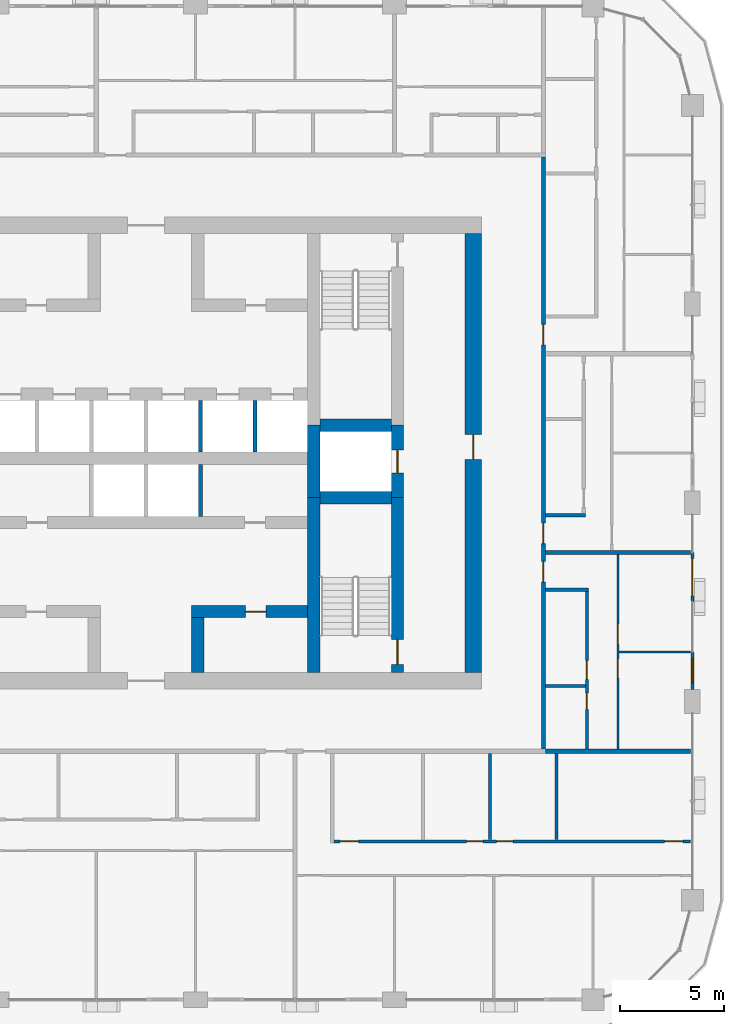
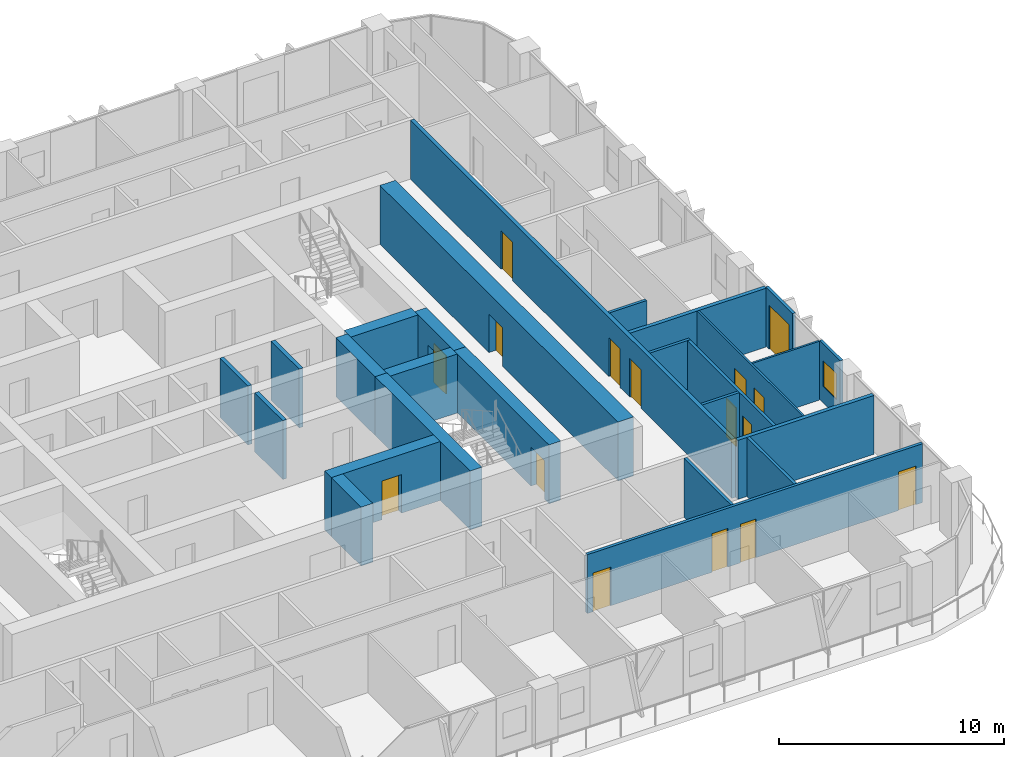
# One storey, part 12 of 22: 26 walls, 16 doors, 1 window, 17 openings.
"""IFC4 building model written with IfcOpenShell, lengths in metres."""

from ifc_helpers import new_model, si_unit, direction, frame, frame_2d, origin, place, context, subcontext, project, spatial, rectangle, extrude, material, layer, layer_set, type_object, element, fill, save


model = new_model("IFC4")

# Units and contexts
model_context = context("Model", 3, precision=1e-05, world=origin(), true_north=direction((0.0, 1.0)))
body_context = subcontext(model_context, "Body", "Model", "MODEL_VIEW")
ifc_project = project(units=[si_unit("LENGTHUNIT", "METRE"), si_unit("AREAUNIT", "SQUARE_METRE"), si_unit("VOLUMEUNIT", "CUBIC_METRE"), si_unit("PLANEANGLEUNIT", "RADIAN"), si_unit("MASSUNIT", "GRAM", prefix="KILO")], contexts=[model_context])

# Site, building, storey
site_placement = place(None, origin())
site = spatial("IfcSite", under=ifc_project, at=site_placement, CompositionType="ELEMENT")
building_placement = place(site_placement, origin())
building = spatial("IfcBuilding", under=site, at=building_placement, Name="Madar Terraces", CompositionType="ELEMENT")
storey_placement = place(building_placement, frame((0.0, 0.0, 163.0)))
storey = spatial("IfcBuildingStorey", under=building, at=storey_placement, Name="L42", CompositionType="ELEMENT", Elevation=163.0)

# Walls
ifc_material_1 = material(Name="Concrete C70/85", Category="concrete")
ifc_layer_1 = layer(ifc_material_1, 0.60009765625)
ifc_layer_set_1 = layer_set([ifc_layer_1], Name="Concrete C70/85 (CIW3 RC wall 600)")
wall_type_1 = type_object("IfcWallType", Name="CIW3 RC wall 600", PredefinedType="SHEAR", material=ifc_layer_set_1)
wall_1_placement = place(storey_placement, frame((39.300048828125, 15.800048828125, 0.0), z_axis=(0.0, 0.0, 1.0), x_axis=(0.0, 1.0, 0.0)))
element("IfcWall", 1, at=wall_1_placement, inside=storey, type_object=wall_type_1, Name="CORE SHAFT WALL", PredefinedType="SHEAR", context=body_context, shape_type="SweptSolid", body=[
    extrude(rectangle(XDim=8.449951171875, YDim=0.60009765625, at=frame_2d((4.22509765625, 0.0))), origin(), (0.0, 0.0, 1.0), 3.199951171875),
])
wall_2_placement = place(storey_placement, frame((39.300048828125, 24.25, 0.0), z_axis=(0.0, 0.0, 1.0), x_axis=(0.0, 1.0, 0.0)))
element("IfcWall", 2, at=wall_2_placement, inside=storey, type_object=wall_type_1, Name="CORE SHAFT WALL", PredefinedType="SHEAR", context=body_context, shape_type="SweptSolid", body=[
    extrude(rectangle(XDim=3.5, YDim=0.60009765625, at=frame_2d((1.75, 0.0))), origin(), (0.0, 0.0, 1.0), 3.199951171875),
])

# Wall, opening, door
wall_3_placement = place(storey_placement, frame((43.35009765625, 15.800048828125, 0.0), z_axis=(0.0, 0.0, 1.0), x_axis=(0.0, 1.0, 0.0)))
wall_3 = element("IfcWall", 3, at=wall_3_placement, inside=storey, type_object=wall_type_1, Name="CORE SHAFT WALL", PredefinedType="SHEAR", context=body_context, shape_type="SweptSolid", body=[
    extrude(rectangle(XDim=8.449951171875, YDim=0.60009765625, at=frame_2d((4.22509765625, 0.0))), origin(), (0.0, 0.0, 1.0), 3.199951171875),
])
opening_1_placement = place(wall_3_placement, frame((0.39990234375, 0.0, 0.0)))
opening_1 = element("IfcOpeningElement", 4, at=opening_1_placement, cuts=wall_3, Name="Opening SD1", PredefinedType="OPENING", context=body_context, shape_type="SweptSolid", body=[
    extrude(rectangle(XDim=1.199951171875, YDim=2.10009765625, at=frame_2d((0.60009765625, 1.050048828125))), frame((0.0, 0.31005859375, 0.0), z_axis=(0.0, -1.0, 0.0), x_axis=(1.0, 0.0, 0.0)), (0.0, 0.0, 1.0), 0.6201171875),
])
ifc_material_2 = material(Name="Steel door leaf", Category="steel")
door_type_1 = type_object("IfcDoorType", Name="Stair door 1200 x 2100", OperationType="NOTDEFINED", PredefinedType="DOOR", material=ifc_material_2)
door_1_placement = place(opening_1_placement, origin())
door_1 = element("IfcDoor", 5, at=door_1_placement, inside=storey, type_object=door_type_1, Name="STAIR DOOR", OperationType="SINGLE_SWING_LEFT", OverallHeight=2.10009765625, OverallWidth=1.199951171875, PredefinedType="DOOR", context=body_context, shape_type="SweptSolid", body=[
    extrude(rectangle(XDim=1.199951171875, YDim=2.10009765625, at=frame_2d((0.60009765625, 1.050048828125))), frame((0.0, 0.02490234375, 0.0), z_axis=(0.0, -1.0, 0.0), x_axis=(1.0, 0.0, 0.0)), (0.0, 0.0, 1.0), 0.050048828125),
])
fill(opening_1, door_1)

wall_4_placement = place(storey_placement, frame((43.35009765625, 24.25, 0.0), z_axis=(0.0, 0.0, 1.0), x_axis=(0.0, 1.0, 0.0)))
wall_4 = element("IfcWall", 6, at=wall_4_placement, inside=storey, type_object=wall_type_1, Name="CORE SHAFT WALL", PredefinedType="SHEAR", context=body_context, shape_type="SweptSolid", body=[
    extrude(rectangle(XDim=3.5, YDim=0.60009765625, at=frame_2d((1.75, 0.0))), origin(), (0.0, 0.0, 1.0), 3.199951171875),
])
opening_2_placement = place(wall_4_placement, frame((1.199951171875, 0.0, 0.0)))
opening_2 = element("IfcOpeningElement", 7, at=opening_2_placement, cuts=wall_4, Name="Opening LD", PredefinedType="OPENING", context=body_context, shape_type="SweptSolid", body=[
    extrude(rectangle(XDim=1.10009765625, YDim=2.10009765625, at=frame_2d((0.550048828125, 1.050048828125))), frame((0.0, 0.31005859375, 0.0), z_axis=(0.0, -1.0, 0.0), x_axis=(1.0, 0.0, 0.0)), (0.0, 0.0, 1.0), 0.6201171875),
])
ifc_material_3 = material(Name="Stainless steel panel", Category="steel")
door_type_2 = type_object("IfcDoorType", Name="Lift landing door 1100 x 2100", OperationType="DOUBLE_DOOR_SLIDING", PredefinedType="DOOR", material=ifc_material_3)
door_2_placement = place(opening_2_placement, origin())
door_2 = element("IfcDoor", 8, at=door_2_placement, inside=storey, type_object=door_type_2, Name="LIFT LANDING DOOR", OperationType="DOUBLE_DOOR_SLIDING", OverallHeight=2.10009765625, OverallWidth=1.10009765625, PredefinedType="DOOR", context=body_context, shape_type="SweptSolid", body=[
    extrude(rectangle(XDim=1.10009765625, YDim=2.10009765625, at=frame_2d((0.550048828125, 1.050048828125))), frame((0.0, 0.02490234375, 0.0), z_axis=(0.0, -1.0, 0.0), x_axis=(1.0, 0.0, 0.0)), (0.0, 0.0, 1.0), 0.050048828125),
])
fill(opening_2, door_2)

# Walls
for number, where, z_axis, x_axis, name in (
    (9, (39.60009765625, 24.25, 0.0), (0.0, 0.0, 1.0), (1.0, 0.0, 0.0), "CORE SHAFT WALL"),
    (10, (39.60009765625, 27.75, 0.0), (0.0, 0.0, 1.0), (1.0, 0.0, 0.0), "CORE SHAFT WALL"),
):
    element("IfcWall", number, at=place(storey_placement, frame(where, z_axis=z_axis, x_axis=x_axis)), inside=storey, type_object=wall_type_1, Name=name, PredefinedType="SHEAR", context=body_context, shape_type="SweptSolid", body=[
        extrude(rectangle(XDim=3.449951171875, YDim=0.60009765625, at=frame_2d((1.72509765625, 0.0))), origin(), (0.0, 0.0, 1.0), 3.199951171875),
    ])

# Wall, opening, door
wall_5_placement = place(storey_placement, frame((33.39990234375, 18.75, 0.0), z_axis=(0.0, 0.0, 1.0), x_axis=(1.0, 0.0, 0.0)))
wall_5 = element("IfcWall", 11, at=wall_5_placement, inside=storey, type_object=wall_type_1, Name="CORE SHAFT WALL", PredefinedType="SHEAR", context=body_context, shape_type="SweptSolid", body=[
    extrude(rectangle(XDim=5.60009765625, YDim=0.60009765625, at=frame_2d((2.800048828125, 0.0))), origin(), (0.0, 0.0, 1.0), 3.199951171875),
])
opening_3_placement = place(wall_5_placement, frame((2.60009765625, 0.0, 0.0)))
opening_3 = element("IfcOpeningElement", 12, at=opening_3_placement, cuts=wall_5, Name="Opening KD2", PredefinedType="OPENING", context=body_context, shape_type="SweptSolid", body=[
    extrude(rectangle(XDim=1.0, YDim=2.10009765625, at=frame_2d((0.5, 1.050048828125))), frame((0.0, 0.31005859375, 0.0), z_axis=(0.0, -1.0, 0.0), x_axis=(1.0, 0.0, 0.0)), (0.0, 0.0, 1.0), 0.6201171875),
])
ifc_material_4 = material(Name="Steel door leaf", Category="steel")
door_type_3 = type_object("IfcDoorType", Name="Service room door 1000 x 2100", OperationType="NOTDEFINED", PredefinedType="DOOR", material=ifc_material_4)
door_3_placement = place(opening_3_placement, origin())
door_3 = element("IfcDoor", 13, at=door_3_placement, inside=storey, type_object=door_type_3, Name="SERVICE ROOM DOOR", OperationType="SINGLE_SWING_RIGHT", OverallHeight=2.10009765625, OverallWidth=1.0, PredefinedType="DOOR", context=body_context, shape_type="SweptSolid", body=[
    extrude(rectangle(XDim=1.0, YDim=2.10009765625, at=frame_2d((0.5, 1.050048828125))), frame((0.0, 0.02490234375, 0.0), z_axis=(0.0, -1.0, 0.0), x_axis=(1.0, 0.0, 0.0)), (0.0, 0.0, 1.0), 0.050048828125),
])
fill(opening_3, door_3)

# Wall
wall_6_placement = place(storey_placement, frame((33.699951171875, 15.800048828125, 0.0), z_axis=(0.0, 0.0, 1.0), x_axis=(0.0, 1.0, 0.0)))
element("IfcWall", 14, at=wall_6_placement, inside=storey, type_object=wall_type_1, Name="CORE SHAFT WALL", PredefinedType="SHEAR", context=body_context, shape_type="SweptSolid", body=[
    extrude(rectangle(XDim=2.64990234375, YDim=0.60009765625, at=frame_2d((1.324951171875, 0.0))), origin(), (0.0, 0.0, 1.0), 3.199951171875),
])

# Wall, opening, door
ifc_material_5 = material(Name="Concrete C70/85", Category="concrete")
ifc_layer_2 = layer(ifc_material_5, 0.800048828125)
ifc_layer_set_2 = layer_set([ifc_layer_2], Name="Concrete C70/85 (CRW3 RC wall 800)")
wall_type_2 = type_object("IfcWallType", Name="CRW3 RC wall 800", PredefinedType="SHEAR", material=ifc_layer_set_2)
wall_7_placement = place(storey_placement, frame((47.0, 15.800048828125, 0.0), z_axis=(0.0, 0.0, 1.0), x_axis=(0.0, 1.0, 0.0)))
wall_7 = element("IfcWall", 15, at=wall_7_placement, inside=storey, type_object=wall_type_2, Name="CORE OUTER WALL", PredefinedType="SHEAR", context=body_context, shape_type="SweptSolid", body=[
    extrude(rectangle(XDim=21.199951171875, YDim=0.800048828125, at=frame_2d((10.60009765625, 0.0))), origin(), (0.0, 0.0, 1.0), 3.199951171875),
])
opening_4_placement = place(wall_7_placement, frame((10.300048828125, 0.0, 0.0)))
opening_4 = element("IfcOpeningElement", 16, at=opening_4_placement, cuts=wall_7, Name="Opening SD1", PredefinedType="OPENING", context=body_context, shape_type="SweptSolid", body=[
    extrude(rectangle(XDim=1.199951171875, YDim=2.10009765625, at=frame_2d((0.60009765625, 1.050048828125))), frame((0.0, 0.409912109375, 0.0), z_axis=(0.0, -1.0, 0.0), x_axis=(1.0, 0.0, 0.0)), (0.0, 0.0, 1.0), 0.820068359375),
])
door_4_placement = place(opening_4_placement, origin())
door_4 = element("IfcDoor", 17, at=door_4_placement, inside=storey, type_object=door_type_1, Name="STAIR DOOR", OperationType="SINGLE_SWING_RIGHT", OverallHeight=2.10009765625, OverallWidth=1.199951171875, PredefinedType="DOOR", context=body_context, shape_type="SweptSolid", body=[
    extrude(rectangle(XDim=1.199951171875, YDim=2.10009765625, at=frame_2d((0.60009765625, 1.050048828125))), frame((0.0, 0.02490234375, 0.0), z_axis=(0.0, -1.0, 0.0), x_axis=(1.0, 0.0, 0.0)), (0.0, 0.0, 1.0), 0.050048828125),
])
fill(opening_4, door_4)

# Walls
ifc_material_6 = material(Name="Concrete C40/50", Category="concrete")
ifc_layer_3 = layer(ifc_material_6, 0.199951171875)
ifc_layer_set_3 = layer_set([ifc_layer_3], Name="Core shaft dividing wall 200 C40/50")
wall_type_3 = type_object("IfcWallType", Name="Core shaft dividing wall 200 C40/50", PredefinedType="SOLIDWALL", material=ifc_layer_set_3)
for number, where, z_axis, x_axis, name in (
    (18, (33.833251953125, 23.35009765625, 0.0), (0.0, 0.0, 1.0), (0.0, 1.0, 0.0), "SHAFT DIVIDING WALL"),
    (19, (33.833251953125, 26.449951171875, 0.0), (0.0, 0.0, 1.0), (0.0, 1.0, 0.0), "SHAFT DIVIDING WALL"),
    (20, (36.466552734375, 26.449951171875, 0.0), (0.0, 0.0, 1.0), (0.0, 1.0, 0.0), "SHAFT DIVIDING WALL"),
):
    element("IfcWall", number, at=place(storey_placement, frame(where, z_axis=z_axis, x_axis=x_axis)), inside=storey, type_object=wall_type_3, Name=name, PredefinedType="SOLIDWALL", context=body_context, shape_type="SweptSolid", body=[
        extrude(rectangle(XDim=2.5, YDim=0.199951171875, at=frame_2d((1.25, 0.0))), origin(), (0.0, 0.0, 1.0), 3.199951171875),
    ])

# Wall, opening, window
ifc_material_7 = material(Name="Aluminium composite panel, black, over insulated backing", Category="aluminium")
ifc_layer_4 = layer(ifc_material_7, 0.14990234375)
ifc_layer_set_4 = layer_set([ifc_layer_4], Name="Facade bay panel 150")
wall_type_4 = type_object("IfcWallType", Name="Facade bay panel 150", PredefinedType="SOLIDWALL", material=ifc_layer_set_4)
wall_8_placement = place(storey_placement, frame((57.60009765625, 14.97509765625, 0.0), z_axis=(0.0, 0.0, 1.0), x_axis=(0.0, 1.0, 0.0)))
wall_8 = element("IfcWall", 21, at=wall_8_placement, inside=storey, type_object=wall_type_4, Name="Facade bay panel", PredefinedType="SOLIDWALL", context=body_context, shape_type="SweptSolid", body=[
    extrude(rectangle(XDim=1.824951171875, YDim=0.14990234375, at=frame_2d((0.91259765625, 0.0))), origin(), (0.0, 0.0, 1.0), 3.199951171875),
])
opening_5_placement = place(wall_8_placement, frame((0.3125, 0.0, 0.89990234375)))
opening_5 = element("IfcOpeningElement", 22, at=opening_5_placement, cuts=wall_8, Name="Opening W1", PredefinedType="OPENING", context=body_context, shape_type="SweptSolid", body=[
    extrude(rectangle(XDim=1.199951171875, YDim=1.39990234375, at=frame_2d((0.60009765625, 0.699951171875))), frame((0.0, 0.0849609375, 0.0), z_axis=(0.0, -1.0, 0.0), x_axis=(1.0, 0.0, 0.0)), (0.0, 0.0, 1.0), 0.169921875),
])
ifc_material_8 = material(Name="Glass, clear, with black aluminium frame", Category="aluminium")
window_type = type_object("IfcWindowType", Name="Vent window 1200 x 1400", PartitioningType="SINGLE_PANEL", PredefinedType="WINDOW", material=ifc_material_8)
window_placement = place(opening_5_placement, origin())
window = element("IfcWindow", 23, at=window_placement, inside=storey, type_object=window_type, Name="Operable vent window", OverallHeight=1.39990234375, OverallWidth=1.199951171875, PartitioningType="SINGLE_PANEL", PredefinedType="WINDOW", context=body_context, shape_type="SweptSolid", body=[
    extrude(rectangle(XDim=1.199951171875, YDim=1.39990234375, at=frame_2d((0.60009765625, 0.699951171875))), frame((0.0, 0.030029296875, 0.0), z_axis=(0.0, -1.0, 0.0), x_axis=(1.0, 0.0, 0.0)), (0.0, 0.0, 1.0), 0.06005859375),
])
fill(opening_5, window)

# Wall, opening, door
wall_9_placement = place(storey_placement, frame((57.60009765625, 19.199951171875, 0.0), z_axis=(0.0, 0.0, 1.0), x_axis=(0.0, 1.0, 0.0)))
wall_9 = element("IfcWall", 24, at=wall_9_placement, inside=storey, type_object=wall_type_4, Name="Facade bay panel", PredefinedType="SOLIDWALL", context=body_context, shape_type="SweptSolid", body=[
    extrude(rectangle(XDim=2.400146484375, YDim=0.14990234375, at=frame_2d((1.2001953125, 0.0))), origin(), (0.0, 0.0, 1.0), 3.199951171875),
])
opening_6_placement = place(wall_9_placement, frame((0.300048828125, 0.0, 0.0)))
opening_6 = element("IfcOpeningElement", 25, at=opening_6_placement, cuts=wall_9, Name="Opening ED1", PredefinedType="OPENING", context=body_context, shape_type="SweptSolid", body=[
    extrude(rectangle(XDim=1.800048828125, YDim=2.39990234375, at=frame_2d((0.89990234375, 1.199951171875))), frame((0.0, 0.0849609375, 0.0), z_axis=(0.0, -1.0, 0.0), x_axis=(1.0, 0.0, 0.0)), (0.0, 0.0, 1.0), 0.169921875),
])
ifc_material_9 = material(Name="Glass, clear, with black aluminium frame", Category="aluminium")
door_type_4 = type_object("IfcDoorType", Name="Balcony and terrace sliding door 1800 x 2400", OperationType="SLIDING_TO_LEFT", PredefinedType="DOOR", material=ifc_material_9)
door_5_placement = place(opening_6_placement, origin())
door_5 = element("IfcDoor", 26, at=door_5_placement, inside=storey, type_object=door_type_4, Name="Balcony door", OperationType="SLIDING_TO_LEFT", OverallHeight=2.39990234375, OverallWidth=1.800048828125, PredefinedType="DOOR", context=body_context, shape_type="SweptSolid", body=[
    extrude(rectangle(XDim=1.800048828125, YDim=2.39990234375, at=frame_2d((0.89990234375, 1.199951171875))), frame((0.0, 0.02490234375, 0.0), z_axis=(0.0, -1.0, 0.0), x_axis=(1.0, 0.0, 0.0)), (0.0, 0.0, 1.0), 0.050048828125),
])
fill(opening_6, door_5)

# Wall
ifc_material_10 = material(Name="Gypsum board on steel studs", Category="steel")
ifc_layer_5 = layer(ifc_material_10, 0.10009765625)
ifc_layer_set_5 = layer_set([ifc_layer_5], Name="Flat partition 100")
wall_type_5 = type_object("IfcWallType", Name="Flat partition 100", PredefinedType="PARTITIONING", material=ifc_layer_set_5)
wall_10_placement = place(storey_placement, frame((54.050048828125, 16.800048828125, 0.0), z_axis=(0.0, 0.0, 1.0), x_axis=(1.0, 0.0, 0.0)))
element("IfcWall", 27, at=wall_10_placement, inside=storey, type_object=wall_type_5, Name="Flat partition 100", PredefinedType="PARTITIONING", context=body_context, shape_type="SweptSolid", body=[
    extrude(rectangle(XDim=3.449951171875, YDim=0.10009765625, at=frame_2d((1.72509765625, 0.0))), origin(), (0.0, 0.0, 1.0), 3.199951171875),
])

# Wall, openings, doors
wall_11_placement = place(storey_placement, frame((54.0, 21.5, 0.0), z_axis=(0.0, 0.0, 1.0), x_axis=(0.0, -1.0, 0.0)))
wall_11 = element("IfcWall", 28, at=wall_11_placement, inside=storey, type_object=wall_type_5, Name="Flat partition 100", PredefinedType="PARTITIONING", context=body_context, shape_type="SweptSolid", body=[
    extrude(rectangle(XDim=9.39990234375, YDim=0.10009765625, at=frame_2d((4.699951171875, 0.0))), origin(), (0.0, 0.0, 1.0), 3.199951171875),
])
opening_7_placement = place(wall_11_placement, frame((3.35009765625, 0.0, 0.0)))
opening_7 = element("IfcOpeningElement", 29, at=opening_7_placement, cuts=wall_11, Name="Opening D3", PredefinedType="OPENING", context=body_context, shape_type="SweptSolid", body=[
    extrude(rectangle(XDim=1.0, YDim=2.10009765625, at=frame_2d((0.5, 1.050048828125))), frame((0.0, 0.06005859375, 0.0), z_axis=(0.0, -1.0, 0.0), x_axis=(1.0, 0.0, 0.0)), (0.0, 0.0, 1.0), 0.1201171875),
])
opening_8_placement = place(wall_11_placement, frame((5.050048828125, 0.0, 0.0)))
opening_8 = element("IfcOpeningElement", 30, at=opening_8_placement, cuts=wall_11, Name="Opening D2", PredefinedType="OPENING", context=body_context, shape_type="SweptSolid", body=[
    extrude(rectangle(XDim=0.89990234375, YDim=2.10009765625, at=frame_2d((0.449951171875, 1.050048828125))), frame((0.0, 0.06005859375, 0.0), z_axis=(0.0, -1.0, 0.0), x_axis=(1.0, 0.0, 0.0)), (0.0, 0.0, 1.0), 0.1201171875),
])
ifc_material_11 = material(Name="Timber door leaf", Category="wood")
door_type_5 = type_object("IfcDoorType", Name="Flat living room door 1000", OperationType="NOTDEFINED", PredefinedType="DOOR", material=ifc_material_11)
door_6_placement = place(opening_7_placement, origin())
door_6 = element("IfcDoor", 31, at=door_6_placement, inside=storey, type_object=door_type_5, Name="Flat living room door 1000", OperationType="SINGLE_SWING_RIGHT", OverallHeight=2.10009765625, OverallWidth=1.0, PredefinedType="DOOR", context=body_context, shape_type="SweptSolid", body=[
    extrude(rectangle(XDim=1.0, YDim=2.10009765625, at=frame_2d((0.5, 1.050048828125))), frame((0.0, 0.02490234375, 0.0), z_axis=(0.0, -1.0, 0.0), x_axis=(1.0, 0.0, 0.0)), (0.0, 0.0, 1.0), 0.050048828125),
])
fill(opening_7, door_6)
ifc_material_12 = material(Name="Timber door leaf", Category="wood")
door_type_6 = type_object("IfcDoorType", Name="Flat room door 900", OperationType="NOTDEFINED", PredefinedType="DOOR", material=ifc_material_12)
door_7_placement = place(opening_8_placement, origin())
door_7 = element("IfcDoor", 32, at=door_7_placement, inside=storey, type_object=door_type_6, Name="Flat room door 900", OperationType="SINGLE_SWING_LEFT", OverallHeight=2.10009765625, OverallWidth=0.89990234375, PredefinedType="DOOR", context=body_context, shape_type="SweptSolid", body=[
    extrude(rectangle(XDim=0.89990234375, YDim=2.10009765625, at=frame_2d((0.449951171875, 1.050048828125))), frame((0.0, 0.02490234375, 0.0), z_axis=(0.0, -1.0, 0.0), x_axis=(1.0, 0.0, 0.0)), (0.0, 0.0, 1.0), 0.050048828125),
])
fill(opening_8, door_7)

ifc_material_13 = material(Name="Lightweight blockwork", Category="masonry")
ifc_layer_6 = layer(ifc_material_13, 0.199951171875)
ifc_layer_set_6 = layer_set([ifc_layer_6], Name="Flat party and entrance wall 200")
wall_type_6 = type_object("IfcWallType", Name="Flat party and entrance wall 200", PredefinedType="PARTITIONING", material=ifc_layer_set_6)
wall_12_placement = place(storey_placement, frame((50.39990234375, 40.699951171875, 0.0), z_axis=(0.0, 0.0, 1.0), x_axis=(0.0, -1.0, 0.0)))
wall_12 = element("IfcWall", 33, at=wall_12_placement, inside=storey, type_object=wall_type_6, Name="Flat party and entrance wall 200", PredefinedType="PARTITIONING", context=body_context, shape_type="SweptSolid", body=[
    extrude(rectangle(XDim=28.599853515625, YDim=0.199951171875, at=frame_2d((14.2998046875, 0.0))), origin(), (0.0, 0.0, 1.0), 3.199951171875),
])
opening_9_placement = place(wall_12_placement, frame((19.52490234375, 0.0, 0.0)))
opening_9 = element("IfcOpeningElement", 34, at=opening_9_placement, cuts=wall_12, Name="Opening D1", PredefinedType="OPENING", context=body_context, shape_type="SweptSolid", body=[
    extrude(rectangle(XDim=1.0, YDim=2.10009765625, at=frame_2d((0.5, 1.050048828125))), frame((0.0, 0.10986328125, 0.0), z_axis=(0.0, -1.0, 0.0), x_axis=(1.0, 0.0, 0.0)), (0.0, 0.0, 1.0), 0.219970703125),
])
opening_10_placement = place(wall_12_placement, frame((17.675048828125, 0.0, 0.0)))
opening_10 = element("IfcOpeningElement", 35, at=opening_10_placement, cuts=wall_12, Name="Opening D1", PredefinedType="OPENING", context=body_context, shape_type="SweptSolid", body=[
    extrude(rectangle(XDim=1.0, YDim=2.10009765625, at=frame_2d((0.5, 1.050048828125))), frame((0.0, 0.10986328125, 0.0), z_axis=(0.0, -1.0, 0.0), x_axis=(1.0, 0.0, 0.0)), (0.0, 0.0, 1.0), 0.219970703125),
])
opening_11_placement = place(wall_12_placement, frame((8.074951171875, 0.0, 0.0)))
opening_11 = element("IfcOpeningElement", 36, at=opening_11_placement, cuts=wall_12, Name="Opening D1", PredefinedType="OPENING", context=body_context, shape_type="SweptSolid", body=[
    extrude(rectangle(XDim=1.0, YDim=2.10009765625, at=frame_2d((0.5, 1.050048828125))), frame((0.0, 0.10986328125, 0.0), z_axis=(0.0, -1.0, 0.0), x_axis=(1.0, 0.0, 0.0)), (0.0, 0.0, 1.0), 0.219970703125),
])
ifc_material_14 = material(Name="Timber fire door leaf", Category="wood")
door_type_7 = type_object("IfcDoorType", Name="Flat entrance door 1000 FD30S", OperationType="NOTDEFINED", PredefinedType="DOOR", material=ifc_material_14)
door_8_placement = place(opening_9_placement, origin())
door_8 = element("IfcDoor", 37, at=door_8_placement, inside=storey, type_object=door_type_7, Name="Flat entrance door 1000 FD30S", OperationType="SINGLE_SWING_LEFT", OverallHeight=2.10009765625, OverallWidth=1.0, PredefinedType="DOOR", context=body_context, shape_type="SweptSolid", body=[
    extrude(rectangle(XDim=1.0, YDim=2.10009765625, at=frame_2d((0.5, 1.050048828125))), frame((0.0, 0.02490234375, 0.0), z_axis=(0.0, -1.0, 0.0), x_axis=(1.0, 0.0, 0.0)), (0.0, 0.0, 1.0), 0.050048828125),
])
fill(opening_9, door_8)
door_9_placement = place(opening_10_placement, origin())
door_9 = element("IfcDoor", 38, at=door_9_placement, inside=storey, type_object=door_type_7, Name="Flat entrance door 1000 FD30S", OperationType="SINGLE_SWING_RIGHT", OverallHeight=2.10009765625, OverallWidth=1.0, PredefinedType="DOOR", context=body_context, shape_type="SweptSolid", body=[
    extrude(rectangle(XDim=1.0, YDim=2.10009765625, at=frame_2d((0.5, 1.050048828125))), frame((0.0, 0.02490234375, 0.0), z_axis=(0.0, -1.0, 0.0), x_axis=(1.0, 0.0, 0.0)), (0.0, 0.0, 1.0), 0.050048828125),
])
fill(opening_10, door_9)
door_10_placement = place(opening_11_placement, origin())
door_10 = element("IfcDoor", 39, at=door_10_placement, inside=storey, type_object=door_type_7, Name="Flat entrance door 1000 FD30S", OperationType="SINGLE_SWING_RIGHT", OverallHeight=2.10009765625, OverallWidth=1.0, PredefinedType="DOOR", context=body_context, shape_type="SweptSolid", body=[
    extrude(rectangle(XDim=1.0, YDim=2.10009765625, at=frame_2d((0.5, 1.050048828125))), frame((0.0, 0.02490234375, 0.0), z_axis=(0.0, -1.0, 0.0), x_axis=(1.0, 0.0, 0.0)), (0.0, 0.0, 1.0), 0.050048828125),
])
fill(opening_11, door_10)

# Walls
for number, where, z_axis, x_axis, name in (
    (40, (50.5, 12.0, 0.0), (0.0, 0.0, 1.0), (1.0, 0.0, 0.0), "Flat party and entrance wall 200"),
    (41, (50.5, 21.60009765625, 0.0), (0.0, 0.0, 1.0), (1.0, 0.0, 0.0), "Flat party and entrance wall 200"),
):
    element("IfcWall", number, at=place(storey_placement, frame(where, z_axis=z_axis, x_axis=x_axis)), inside=storey, type_object=wall_type_6, Name=name, PredefinedType="PARTITIONING", context=body_context, shape_type="SweptSolid", body=[
        extrude(rectangle(XDim=7.0, YDim=0.199951171875, at=frame_2d((3.5, 0.0))), origin(), (0.0, 0.0, 1.0), 3.199951171875),
    ])
ifc_material_15 = material(Name="Lightweight blockwork", Category="masonry")
ifc_layer_7 = layer(ifc_material_15, 0.14990234375)
ifc_layer_set_7 = layer_set([ifc_layer_7], Name="Flat wet-room partition 150")
wall_type_7 = type_object("IfcWallType", Name="Flat wet-room partition 150", PredefinedType="PARTITIONING", material=ifc_layer_set_7)
for number, where, z_axis, x_axis, name in (
    (42, (47.810791015625, 11.89990234375, 0.0), (0.0, 0.0, 1.0), (0.0, -1.0, 0.0), "Flat wet-room partition 150"),
    (43, (51.04052734375, 11.89990234375, 0.0), (0.0, 0.0, 1.0), (0.0, -1.0, 0.0), "Flat wet-room partition 150"),
):
    element("IfcWall", number, at=place(storey_placement, frame(where, z_axis=z_axis, x_axis=x_axis)), inside=storey, type_object=wall_type_7, Name=name, PredefinedType="PARTITIONING", context=body_context, shape_type="SweptSolid", body=[
        extrude(rectangle(XDim=4.1748046875, YDim=0.14990234375, at=frame_2d((2.08740234375, 0.0))), origin(), (0.0, 0.0, 1.0), 3.199951171875),
    ])

# Wall, openings, doors
wall_13_placement = place(storey_placement, frame((40.27490234375, 7.64990234375, 0.0), z_axis=(0.0, 0.0, 1.0), x_axis=(1.0, 0.0, 0.0)))
wall_13 = element("IfcWall", 44, at=wall_13_placement, inside=storey, type_object=wall_type_7, Name="Flat wet-room partition 150", PredefinedType="PARTITIONING", context=body_context, shape_type="SweptSolid", body=[
    extrude(rectangle(XDim=17.22509765625, YDim=0.14990234375, at=frame_2d((8.612548828125, 0.0))), origin(), (0.0, 0.0, 1.0), 3.199951171875),
])
opening_12_placement = place(wall_13_placement, frame((0.300048828125, 0.0, 0.0)))
opening_12 = element("IfcOpeningElement", 45, at=opening_12_placement, cuts=wall_13, Name="Opening D5", PredefinedType="OPENING", context=body_context, shape_type="SweptSolid", body=[
    extrude(rectangle(XDim=0.89990234375, YDim=2.10009765625, at=frame_2d((0.449951171875, 1.050048828125))), frame((0.0, 0.0849609375, 0.0), z_axis=(0.0, -1.0, 0.0), x_axis=(1.0, 0.0, 0.0)), (0.0, 0.0, 1.0), 0.169921875),
])
opening_13_placement = place(wall_13_placement, frame((6.410888671875, 0.0, 0.0)))
opening_13 = element("IfcOpeningElement", 46, at=opening_13_placement, cuts=wall_13, Name="Opening D7", PredefinedType="OPENING", context=body_context, shape_type="SweptSolid", body=[
    extrude(rectangle(XDim=0.800048828125, YDim=2.10009765625, at=frame_2d((0.39990234375, 1.050048828125))), frame((0.0, 0.0849609375, 0.0), z_axis=(0.0, -1.0, 0.0), x_axis=(1.0, 0.0, 0.0)), (0.0, 0.0, 1.0), 0.169921875),
])
opening_14_placement = place(wall_13_placement, frame((7.86083984375, 0.0, 0.0)))
opening_14 = element("IfcOpeningElement", 47, at=opening_14_placement, cuts=wall_13, Name="Opening D4", PredefinedType="OPENING", context=body_context, shape_type="SweptSolid", body=[
    extrude(rectangle(XDim=0.800048828125, YDim=2.10009765625, at=frame_2d((0.39990234375, 1.050048828125))), frame((0.0, 0.0849609375, 0.0), z_axis=(0.0, -1.0, 0.0), x_axis=(1.0, 0.0, 0.0)), (0.0, 0.0, 1.0), 0.169921875),
])
opening_15_placement = place(wall_13_placement, frame((15.97509765625, 0.0, 0.0)))
opening_15 = element("IfcOpeningElement", 48, at=opening_15_placement, cuts=wall_13, Name="Opening D2", PredefinedType="OPENING", context=body_context, shape_type="SweptSolid", body=[
    extrude(rectangle(XDim=0.89990234375, YDim=2.10009765625, at=frame_2d((0.449951171875, 1.050048828125))), frame((0.0, 0.0849609375, 0.0), z_axis=(0.0, -1.0, 0.0), x_axis=(1.0, 0.0, 0.0)), (0.0, 0.0, 1.0), 0.169921875),
])
ifc_material_16 = material(Name="Timber door leaf", Category="wood")
door_type_8 = type_object("IfcDoorType", Name="Flat accessible bathroom door 900", OperationType="NOTDEFINED", PredefinedType="DOOR", material=ifc_material_16)
door_11_placement = place(opening_12_placement, origin())
door_11 = element("IfcDoor", 49, at=door_11_placement, inside=storey, type_object=door_type_8, Name="Flat accessible bathroom door 900", OperationType="SINGLE_SWING_LEFT", OverallHeight=2.10009765625, OverallWidth=0.89990234375, PredefinedType="DOOR", context=body_context, shape_type="SweptSolid", body=[
    extrude(rectangle(XDim=0.89990234375, YDim=2.10009765625, at=frame_2d((0.449951171875, 1.050048828125))), frame((0.0, 0.02490234375, 0.0), z_axis=(0.0, -1.0, 0.0), x_axis=(1.0, 0.0, 0.0)), (0.0, 0.0, 1.0), 0.050048828125),
])
fill(opening_12, door_11)
ifc_material_17 = material(Name="Timber door leaf", Category="wood")
door_type_9 = type_object("IfcDoorType", Name="Flat bathroom door 800", OperationType="NOTDEFINED", PredefinedType="DOOR", material=ifc_material_17)
door_12_placement = place(opening_14_placement, origin())
door_12 = element("IfcDoor", 50, at=door_12_placement, inside=storey, type_object=door_type_9, Name="Flat bathroom door 800", OperationType="SINGLE_SWING_LEFT", OverallHeight=2.10009765625, OverallWidth=0.800048828125, PredefinedType="DOOR", context=body_context, shape_type="SweptSolid", body=[
    extrude(rectangle(XDim=0.800048828125, YDim=2.10009765625, at=frame_2d((0.39990234375, 1.050048828125))), frame((0.0, 0.02490234375, 0.0), z_axis=(0.0, -1.0, 0.0), x_axis=(1.0, 0.0, 0.0)), (0.0, 0.0, 1.0), 0.050048828125),
])
fill(opening_14, door_12)
door_13_placement = place(opening_15_placement, origin())
door_13 = element("IfcDoor", 51, at=door_13_placement, inside=storey, type_object=door_type_6, Name="Flat room door 900", OperationType="SINGLE_SWING_RIGHT", OverallHeight=2.10009765625, OverallWidth=0.89990234375, PredefinedType="DOOR", context=body_context, shape_type="SweptSolid", body=[
    extrude(rectangle(XDim=0.89990234375, YDim=2.10009765625, at=frame_2d((0.449951171875, 1.050048828125))), frame((0.0, 0.02490234375, 0.0), z_axis=(0.0, -1.0, 0.0), x_axis=(1.0, 0.0, 0.0)), (0.0, 0.0, 1.0), 0.050048828125),
])
fill(opening_15, door_13)
ifc_material_18 = material(Name="Timber door leaf", Category="wood")
door_type_10 = type_object("IfcDoorType", Name="Flat utility door 800", OperationType="NOTDEFINED", PredefinedType="DOOR", material=ifc_material_18)
door_14_placement = place(opening_13_placement, origin())
door_14 = element("IfcDoor", 52, at=door_14_placement, inside=storey, type_object=door_type_10, Name="Flat utility door 800", OperationType="SINGLE_SWING_RIGHT", OverallHeight=2.10009765625, OverallWidth=0.800048828125, PredefinedType="DOOR", context=body_context, shape_type="SweptSolid", body=[
    extrude(rectangle(XDim=0.800048828125, YDim=2.10009765625, at=frame_2d((0.39990234375, 1.050048828125))), frame((0.0, 0.02490234375, 0.0), z_axis=(0.0, -1.0, 0.0), x_axis=(1.0, 0.0, 0.0)), (0.0, 0.0, 1.0), 0.050048828125),
])
fill(opening_13, door_14)

# Walls
wall_14_placement = place(storey_placement, frame((50.5, 15.14990234375, 0.0), z_axis=(0.0, 0.0, 1.0), x_axis=(1.0, 0.0, 0.0)))
element("IfcWall", 53, at=wall_14_placement, inside=storey, type_object=wall_type_7, Name="Flat wet-room partition 150", PredefinedType="PARTITIONING", context=body_context, shape_type="SweptSolid", body=[
    extrude(rectangle(XDim=1.925048828125, YDim=0.14990234375, at=frame_2d((0.96240234375, 0.0))), origin(), (0.0, 0.0, 1.0), 3.199951171875),
])
wall_15_placement = place(storey_placement, frame((50.5, 19.800048828125, 0.0), z_axis=(0.0, 0.0, 1.0), x_axis=(1.0, 0.0, 0.0)))
element("IfcWall", 54, at=wall_15_placement, inside=storey, type_object=wall_type_7, Name="Flat wet-room partition 150", PredefinedType="PARTITIONING", context=body_context, shape_type="SweptSolid", body=[
    extrude(rectangle(XDim=2.074951171875, YDim=0.14990234375, at=frame_2d((1.03759765625, 0.0))), origin(), (0.0, 0.0, 1.0), 3.199951171875),
])

# Wall, openings, doors
wall_16_placement = place(storey_placement, frame((52.5, 12.10009765625, 0.0), z_axis=(0.0, 0.0, 1.0), x_axis=(0.0, 1.0, 0.0)))
wall_16 = element("IfcWall", 55, at=wall_16_placement, inside=storey, type_object=wall_type_7, Name="Flat wet-room partition 150", PredefinedType="PARTITIONING", context=body_context, shape_type="SweptSolid", body=[
    extrude(rectangle(XDim=7.625, YDim=0.14990234375, at=frame_2d((3.8125, 0.0))), origin(), (0.0, 0.0, 1.0), 3.199951171875),
])
opening_16_placement = place(wall_16_placement, frame((3.375, 0.0, 0.0)))
opening_16 = element("IfcOpeningElement", 56, at=opening_16_placement, cuts=wall_16, Name="Opening D2", PredefinedType="OPENING", context=body_context, shape_type="SweptSolid", body=[
    extrude(rectangle(XDim=0.89990234375, YDim=2.10009765625, at=frame_2d((0.449951171875, 1.050048828125))), frame((0.0, 0.0849609375, 0.0), z_axis=(0.0, -1.0, 0.0), x_axis=(1.0, 0.0, 0.0)), (0.0, 0.0, 1.0), 0.169921875),
])
opening_17_placement = place(wall_16_placement, frame((1.925048828125, 0.0, 0.0)))
opening_17 = element("IfcOpeningElement", 57, at=opening_17_placement, cuts=wall_16, Name="Opening D4", PredefinedType="OPENING", context=body_context, shape_type="SweptSolid", body=[
    extrude(rectangle(XDim=0.800048828125, YDim=2.10009765625, at=frame_2d((0.39990234375, 1.050048828125))), frame((0.0, 0.0849609375, 0.0), z_axis=(0.0, -1.0, 0.0), x_axis=(1.0, 0.0, 0.0)), (0.0, 0.0, 1.0), 0.169921875),
])
door_15_placement = place(opening_17_placement, origin())
door_15 = element("IfcDoor", 58, at=door_15_placement, inside=storey, type_object=door_type_9, Name="Flat bathroom door 800", OperationType="SINGLE_SWING_RIGHT", OverallHeight=2.10009765625, OverallWidth=0.800048828125, PredefinedType="DOOR", context=body_context, shape_type="SweptSolid", body=[
    extrude(rectangle(XDim=0.800048828125, YDim=2.10009765625, at=frame_2d((0.39990234375, 1.050048828125))), frame((0.0, 0.02490234375, 0.0), z_axis=(0.0, -1.0, 0.0), x_axis=(1.0, 0.0, 0.0)), (0.0, 0.0, 1.0), 0.050048828125),
])
fill(opening_17, door_15)
door_16_placement = place(opening_16_placement, origin())
door_16 = element("IfcDoor", 59, at=door_16_placement, inside=storey, type_object=door_type_6, Name="Flat room door 900", OperationType="SINGLE_SWING_LEFT", OverallHeight=2.10009765625, OverallWidth=0.89990234375, PredefinedType="DOOR", context=body_context, shape_type="SweptSolid", body=[
    extrude(rectangle(XDim=0.89990234375, YDim=2.10009765625, at=frame_2d((0.449951171875, 1.050048828125))), frame((0.0, 0.02490234375, 0.0), z_axis=(0.0, -1.0, 0.0), x_axis=(1.0, 0.0, 0.0)), (0.0, 0.0, 1.0), 0.050048828125),
])
fill(opening_16, door_16)

# Wall
wall_17_placement = place(storey_placement, frame((50.5, 23.39990234375, 0.0), z_axis=(0.0, 0.0, 1.0), x_axis=(1.0, 0.0, 0.0)))
element("IfcWall", 60, at=wall_17_placement, inside=storey, type_object=wall_type_7, Name="Flat wet-room partition 150", PredefinedType="PARTITIONING", context=body_context, shape_type="SweptSolid", body=[
    extrude(rectangle(XDim=1.925048828125, YDim=0.14990234375, at=frame_2d((0.96240234375, 0.0))), origin(), (0.0, 0.0, 1.0), 3.199951171875),
])

save(model, "model.ifc")
